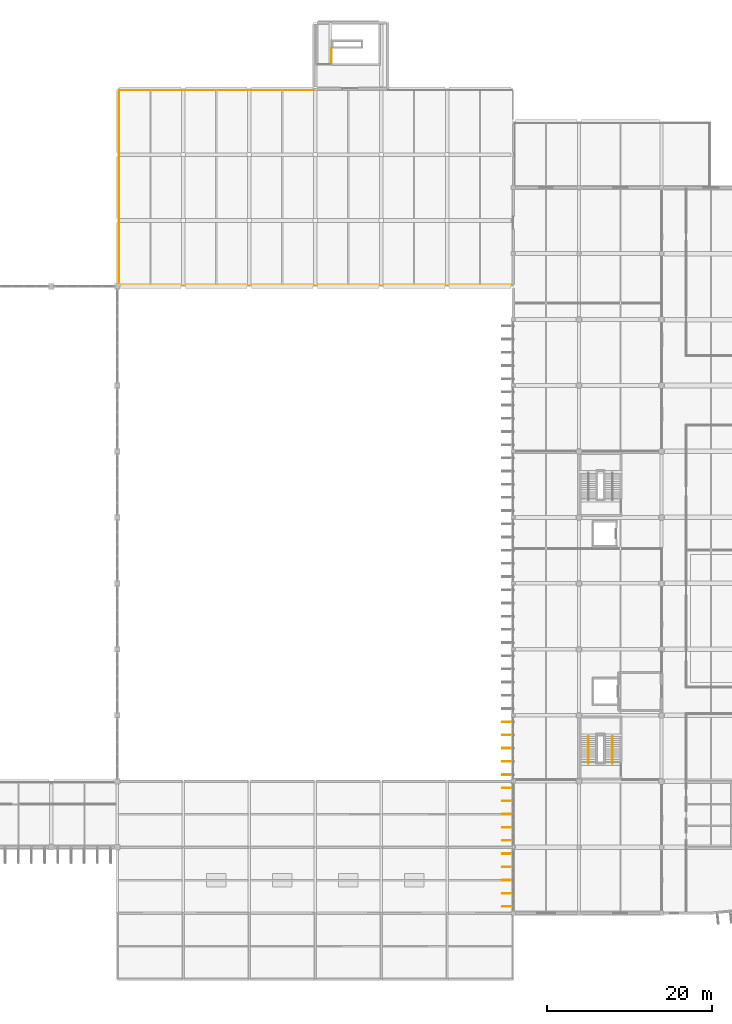
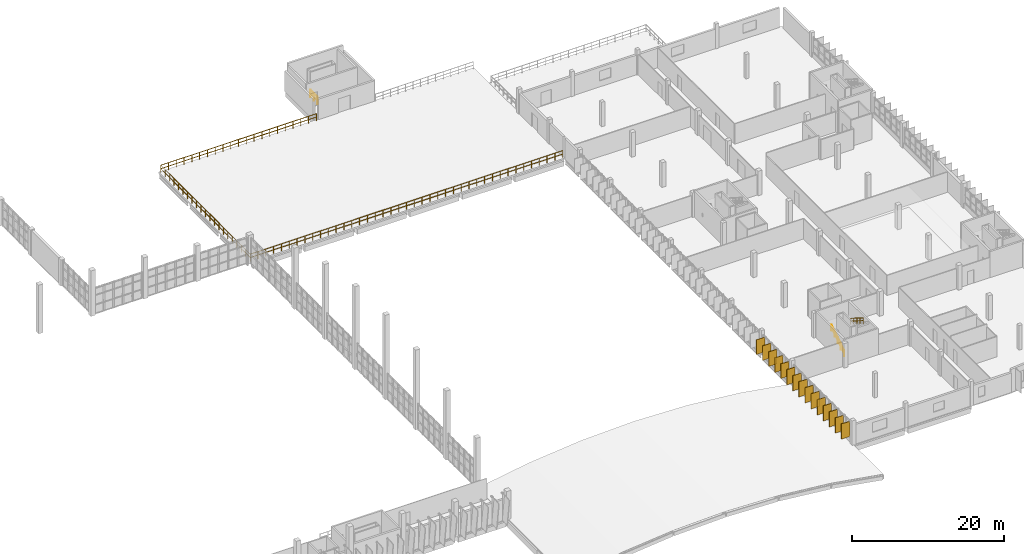
# One storey, part 64 of 66: 15 coverings, 15 shading devices, 6 railings.
"""IFC4 building model written with IfcOpenShell, lengths in metres."""

from ifc_helpers import new_model, si_unit, direction, frame, origin, origin_2d, place, context, subcontext, project, spatial, rectangle, circle, extrude, material, type_object, element, save


model = new_model("IFC4")

# Units and contexts
model_context = context("Model", 3, precision=1e-05, world=origin(), true_north=direction((0.0, 1.0)))
body_context = subcontext(model_context, "Body", "Model", "MODEL_VIEW")
ifc_project = project(units=[si_unit("LENGTHUNIT", "METRE"), si_unit("AREAUNIT", "SQUARE_METRE"), si_unit("VOLUMEUNIT", "CUBIC_METRE"), si_unit("PLANEANGLEUNIT", "RADIAN"), si_unit("MASSUNIT", "GRAM", prefix="KILO")], contexts=[model_context])

# Site, building, storey
site_placement = place(None, origin())
site = spatial("IfcSite", under=ifc_project, at=site_placement, CompositionType="ELEMENT")
building_placement = place(site_placement, origin())
building = spatial("IfcBuilding", under=site, at=building_placement, Name="Drelvana Railside Aquatics Centre", CompositionType="ELEMENT")
storey_placement = place(building_placement, frame((0.0, 0.0, 10.199951171875)))
storey = spatial("IfcBuildingStorey", under=building, at=storey_placement, Name="L02", CompositionType="ELEMENT", Elevation=10.199951171875)

# Coverings
ifc_material_1 = material(Name="Bronze-anodised extruded aluminium 6063-T6", Category="aluminium")
covering_type = type_object("IfcCoveringType", Name="COV-FIN-ALU", PredefinedType="CLADDING", material=ifc_material_1)
for number, where, z_axis, x_axis, name in (
    (1, (143.330078125, 8.800048828125, 0.80029296875), (0.0, 0.0, 1.0), (0.0, 1.0, 0.0), "Vertical aluminium fin cladding CF-0536"),
    (2, (143.330078125, 10.39990234375, 0.80029296875), (0.0, 0.0, 1.0), (0.0, 1.0, 0.0), "Vertical aluminium fin cladding CF-0537"),
    (3, (143.330078125, 12.0, 0.80029296875), (0.0, 0.0, 1.0), (0.0, 1.0, 0.0), "Vertical aluminium fin cladding CF-0538"),
    (4, (143.330078125, 13.60009765625, 0.80029296875), (0.0, 0.0, 1.0), (0.0, 1.0, 0.0), "Vertical aluminium fin cladding CF-0539"),
    (5, (143.330078125, 15.199951171875, 0.80029296875), (0.0, 0.0, 1.0), (0.0, 1.0, 0.0), "Vertical aluminium fin cladding CF-0540"),
    (6, (143.330078125, 16.800048828125, 0.80029296875), (0.0, 0.0, 1.0), (0.0, 1.0, 0.0), "Vertical aluminium fin cladding CF-0541"),
    (7, (143.330078125, 18.39990234375, 0.80029296875), (0.0, 0.0, 1.0), (0.0, 1.0, 0.0), "Vertical aluminium fin cladding CF-0542"),
    (8, (143.330078125, 20.0, 0.80029296875), (0.0, 0.0, 1.0), (0.0, 1.0, 0.0), "Vertical aluminium fin cladding CF-0543"),
    (9, (143.330078125, 21.60009765625, 0.80029296875), (0.0, 0.0, 1.0), (0.0, 1.0, 0.0), "Vertical aluminium fin cladding CF-0544"),
    (10, (143.330078125, 23.199951171875, 0.80029296875), (0.0, 0.0, 1.0), (0.0, 1.0, 0.0), "Vertical aluminium fin cladding CF-0545"),
):
    element("IfcCovering", number, at=place(storey_placement, frame(where, z_axis=z_axis, x_axis=x_axis)), inside=storey, type_object=covering_type, Name=name, PredefinedType="CLADDING", context=body_context, shape_type="SweptSolid", body=[
        extrude(rectangle(XDim=0.0849609375, YDim=1.25, at=origin_2d()), origin(), (0.0, 0.0, 1.0), 2.449951171875),
    ])
for number, where, z_axis, x_axis, name in (
    (11, (143.330078125, 24.800048828125, 0.85009765625), (0.0, 0.0, 1.0), (0.0, 1.0, 0.0), "Vertical aluminium fin cladding CF-0551"),
    (12, (143.330078125, 26.39990234375, 0.85009765625), (0.0, 0.0, 1.0), (0.0, 1.0, 0.0), "Vertical aluminium fin cladding CF-0552"),
    (13, (143.330078125, 28.0, 0.85009765625), (0.0, 0.0, 1.0), (0.0, 1.0, 0.0), "Vertical aluminium fin cladding CF-0553"),
    (14, (143.330078125, 29.60009765625, 0.85009765625), (0.0, 0.0, 1.0), (0.0, 1.0, 0.0), "Vertical aluminium fin cladding CF-0554"),
    (15, (143.330078125, 31.199951171875, 0.85009765625), (0.0, 0.0, 1.0), (0.0, 1.0, 0.0), "Vertical aluminium fin cladding CF-0555"),
):
    element("IfcCovering", number, at=place(storey_placement, frame(where, z_axis=z_axis, x_axis=x_axis)), inside=storey, type_object=covering_type, Name=name, PredefinedType="CLADDING", context=body_context, shape_type="SweptSolid", body=[
        extrude(rectangle(XDim=0.0849609375, YDim=1.25, at=origin_2d()), origin(), (0.0, 0.0, 1.0), 2.35009765625),
    ])

# Railings
ifc_material_2 = material(Name="Bronze-anodised stainless steel balustrade", Category="steel")
railing_type_1 = type_object("IfcRailingType", Name="RAL-GUARD-TER-1100", PredefinedType="GUARDRAIL", material=ifc_material_2)
railing_1_placement = place(storey_placement, frame((96.199951171875, 84.199951171875, 0.0)))
element("IfcRailing", 16, at=railing_1_placement, inside=storey, type_object=railing_type_1, Name="Roof-Garden Terrace guard rail 1", PredefinedType="GUARDRAIL", context=body_context, shape_type="SweptSolid", body=[
    extrude(circle(Radius=0.02392578125, at=origin_2d()), frame((0.0, 0.0, 1.1259765625), z_axis=(1.0, 0.0, 0.0), x_axis=(0.0, 1.0, 0.0)), (0.0, 0.0, 1.0), 47.60009765625),
    extrude(circle(Radius=0.02392578125, at=origin_2d()), frame((0.0, 0.0, 0.574951171875), z_axis=(1.0, 0.0, 0.0), x_axis=(0.0, 1.0, 0.0)), (0.0, 0.0, 1.0), 47.60009765625),
    extrude(circle(Radius=0.02099609375, at=origin_2d()), origin(), (0.0, 0.0, 1.0), 1.101806640625),
    extrude(circle(Radius=0.02099609375, at=origin_2d()), frame((1.18994140625, 0.0, 0.0)), (0.0, 0.0, 1.0), 1.101806640625),
    extrude(circle(Radius=0.02099609375, at=origin_2d()), frame((2.3798828125, 0.0, 0.0)), (0.0, 0.0, 1.0), 1.101806640625),
    extrude(circle(Radius=0.02099609375, at=origin_2d()), frame((3.570068359375, 0.0, 0.0)), (0.0, 0.0, 1.0), 1.101806640625),
    extrude(circle(Radius=0.02099609375, at=origin_2d()), frame((4.760009765625, 0.0, 0.0)), (0.0, 0.0, 1.0), 1.101806640625),
    extrude(circle(Radius=0.02099609375, at=origin_2d()), frame((5.949951171875, 0.0, 0.0)), (0.0, 0.0, 1.0), 1.101806640625),
    extrude(circle(Radius=0.02099609375, at=origin_2d()), frame((7.14013671875, 0.0, 0.0)), (0.0, 0.0, 1.0), 1.101806640625),
    extrude(circle(Radius=0.02099609375, at=origin_2d()), frame((8.330078125, 0.0, 0.0)), (0.0, 0.0, 1.0), 1.101806640625),
    extrude(circle(Radius=0.02099609375, at=origin_2d()), frame((9.52001953125, 0.0, 0.0)), (0.0, 0.0, 1.0), 1.101806640625),
    extrude(circle(Radius=0.02099609375, at=origin_2d()), frame((10.7099609375, 0.0, 0.0)), (0.0, 0.0, 1.0), 1.101806640625),
    extrude(circle(Radius=0.02099609375, at=origin_2d()), frame((11.89990234375, 0.0, 0.0)), (0.0, 0.0, 1.0), 1.101806640625),
    extrude(circle(Radius=0.02099609375, at=origin_2d()), frame((13.090087890625, 0.0, 0.0)), (0.0, 0.0, 1.0), 1.101806640625),
    extrude(circle(Radius=0.02099609375, at=origin_2d()), frame((14.280029296875, 0.0, 0.0)), (0.0, 0.0, 1.0), 1.101806640625),
    extrude(circle(Radius=0.02099609375, at=origin_2d()), frame((15.469970703125, 0.0, 0.0)), (0.0, 0.0, 1.0), 1.101806640625),
    extrude(circle(Radius=0.02099609375, at=origin_2d()), frame((16.66015625, 0.0, 0.0)), (0.0, 0.0, 1.0), 1.101806640625),
    extrude(circle(Radius=0.02099609375, at=origin_2d()), frame((17.85009765625, 0.0, 0.0)), (0.0, 0.0, 1.0), 1.101806640625),
    extrude(circle(Radius=0.02099609375, at=origin_2d()), frame((19.0400390625, 0.0, 0.0)), (0.0, 0.0, 1.0), 1.101806640625),
    extrude(circle(Radius=0.02099609375, at=origin_2d()), frame((20.22998046875, 0.0, 0.0)), (0.0, 0.0, 1.0), 1.101806640625),
    extrude(circle(Radius=0.02099609375, at=origin_2d()), frame((21.419921875, 0.0, 0.0)), (0.0, 0.0, 1.0), 1.101806640625),
    extrude(circle(Radius=0.02099609375, at=origin_2d()), frame((22.610107421875, 0.0, 0.0)), (0.0, 0.0, 1.0), 1.101806640625),
    extrude(circle(Radius=0.02099609375, at=origin_2d()), frame((23.800048828125, 0.0, 0.0)), (0.0, 0.0, 1.0), 1.101806640625),
    extrude(circle(Radius=0.02099609375, at=origin_2d()), frame((24.989990234375, 0.0, 0.0)), (0.0, 0.0, 1.0), 1.101806640625),
    extrude(circle(Radius=0.02099609375, at=origin_2d()), frame((26.18017578125, 0.0, 0.0)), (0.0, 0.0, 1.0), 1.101806640625),
    extrude(circle(Radius=0.02099609375, at=origin_2d()), frame((27.3701171875, 0.0, 0.0)), (0.0, 0.0, 1.0), 1.101806640625),
    extrude(circle(Radius=0.02099609375, at=origin_2d()), frame((28.56005859375, 0.0, 0.0)), (0.0, 0.0, 1.0), 1.101806640625),
    extrude(circle(Radius=0.02099609375, at=origin_2d()), frame((29.75, 0.0, 0.0)), (0.0, 0.0, 1.0), 1.101806640625),
    extrude(circle(Radius=0.02099609375, at=origin_2d()), frame((30.93994140625, 0.0, 0.0)), (0.0, 0.0, 1.0), 1.101806640625),
    extrude(circle(Radius=0.02099609375, at=origin_2d()), frame((32.130126953125, 0.0, 0.0)), (0.0, 0.0, 1.0), 1.101806640625),
    extrude(circle(Radius=0.02099609375, at=origin_2d()), frame((33.320068359375, 0.0, 0.0)), (0.0, 0.0, 1.0), 1.101806640625),
    extrude(circle(Radius=0.02099609375, at=origin_2d()), frame((34.510009765625, 0.0, 0.0)), (0.0, 0.0, 1.0), 1.101806640625),
    extrude(circle(Radius=0.02099609375, at=origin_2d()), frame((35.7001953125, 0.0, 0.0)), (0.0, 0.0, 1.0), 1.101806640625),
    extrude(circle(Radius=0.02099609375, at=origin_2d()), frame((36.89013671875, 0.0, 0.0)), (0.0, 0.0, 1.0), 1.101806640625),
    extrude(circle(Radius=0.02099609375, at=origin_2d()), frame((38.080078125, 0.0, 0.0)), (0.0, 0.0, 1.0), 1.101806640625),
    extrude(circle(Radius=0.02099609375, at=origin_2d()), frame((39.27001953125, 0.0, 0.0)), (0.0, 0.0, 1.0), 1.101806640625),
    extrude(circle(Radius=0.02099609375, at=origin_2d()), frame((40.4599609375, 0.0, 0.0)), (0.0, 0.0, 1.0), 1.101806640625),
    extrude(circle(Radius=0.02099609375, at=origin_2d()), frame((41.650146484375, 0.0, 0.0)), (0.0, 0.0, 1.0), 1.101806640625),
    extrude(circle(Radius=0.02099609375, at=origin_2d()), frame((42.840087890625, 0.0, 0.0)), (0.0, 0.0, 1.0), 1.101806640625),
    extrude(circle(Radius=0.02099609375, at=origin_2d()), frame((44.030029296875, 0.0, 0.0)), (0.0, 0.0, 1.0), 1.101806640625),
    extrude(circle(Radius=0.02099609375, at=origin_2d()), frame((45.22021484375, 0.0, 0.0)), (0.0, 0.0, 1.0), 1.101806640625),
    extrude(circle(Radius=0.02099609375, at=origin_2d()), frame((46.41015625, 0.0, 0.0)), (0.0, 0.0, 1.0), 1.101806640625),
    extrude(circle(Radius=0.02099609375, at=origin_2d()), frame((47.60009765625, 0.0, 0.0)), (0.0, 0.0, 1.0), 1.101806640625),
])
railing_2_placement = place(storey_placement, frame((96.199951171875, 84.199951171875, 0.0)))
element("IfcRailing", 17, at=railing_2_placement, inside=storey, type_object=railing_type_1, Name="Roof-Garden Terrace guard rail 2", PredefinedType="GUARDRAIL", context=body_context, shape_type="SweptSolid", body=[
    extrude(circle(Radius=0.02392578125, at=origin_2d()), frame((0.0, 0.0, 1.1259765625), z_axis=(0.0, 1.0, 0.0), x_axis=(-1.0, 0.0, 0.0)), (0.0, 0.0, 1.0), 23.60009765625),
    extrude(circle(Radius=0.02392578125, at=origin_2d()), frame((0.0, 0.0, 0.574951171875), z_axis=(0.0, 1.0, 0.0), x_axis=(-1.0, 0.0, 0.0)), (0.0, 0.0, 1.0), 23.60009765625),
    extrude(circle(Radius=0.02099609375, at=origin_2d()), origin(), (0.0, 0.0, 1.0), 1.101806640625),
    extrude(circle(Radius=0.02099609375, at=origin_2d()), frame((0.0, 1.179931640625, 0.0)), (0.0, 0.0, 1.0), 1.101806640625),
    extrude(circle(Radius=0.02099609375, at=origin_2d()), frame((0.0, 2.360107421875, 0.0)), (0.0, 0.0, 1.0), 1.101806640625),
    extrude(circle(Radius=0.02099609375, at=origin_2d()), frame((0.0, 3.5400390625, 0.0)), (0.0, 0.0, 1.0), 1.101806640625),
    extrude(circle(Radius=0.02099609375, at=origin_2d()), frame((0.0, 4.719970703125, 0.0)), (0.0, 0.0, 1.0), 1.101806640625),
    extrude(circle(Radius=0.02099609375, at=origin_2d()), frame((0.0, 5.89990234375, 0.0)), (0.0, 0.0, 1.0), 1.101806640625),
    extrude(circle(Radius=0.02099609375, at=origin_2d()), frame((0.0, 7.080078125, 0.0)), (0.0, 0.0, 1.0), 1.101806640625),
    extrude(circle(Radius=0.02099609375, at=origin_2d()), frame((0.0, 8.260009765625, 0.0)), (0.0, 0.0, 1.0), 1.101806640625),
    extrude(circle(Radius=0.02099609375, at=origin_2d()), frame((0.0, 9.43994140625, 0.0)), (0.0, 0.0, 1.0), 1.101806640625),
    extrude(circle(Radius=0.02099609375, at=origin_2d()), frame((0.0, 10.6201171875, 0.0)), (0.0, 0.0, 1.0), 1.101806640625),
    extrude(circle(Radius=0.02099609375, at=origin_2d()), frame((0.0, 11.800048828125, 0.0)), (0.0, 0.0, 1.0), 1.101806640625),
    extrude(circle(Radius=0.02099609375, at=origin_2d()), frame((0.0, 12.97998046875, 0.0)), (0.0, 0.0, 1.0), 1.101806640625),
    extrude(circle(Radius=0.02099609375, at=origin_2d()), frame((0.0, 14.16015625, 0.0)), (0.0, 0.0, 1.0), 1.101806640625),
    extrude(circle(Radius=0.02099609375, at=origin_2d()), frame((0.0, 15.340087890625, 0.0)), (0.0, 0.0, 1.0), 1.101806640625),
    extrude(circle(Radius=0.02099609375, at=origin_2d()), frame((0.0, 16.52001953125, 0.0)), (0.0, 0.0, 1.0), 1.101806640625),
    extrude(circle(Radius=0.02099609375, at=origin_2d()), frame((0.0, 17.7001953125, 0.0)), (0.0, 0.0, 1.0), 1.101806640625),
    extrude(circle(Radius=0.02099609375, at=origin_2d()), frame((0.0, 18.880126953125, 0.0)), (0.0, 0.0, 1.0), 1.101806640625),
    extrude(circle(Radius=0.02099609375, at=origin_2d()), frame((0.0, 20.06005859375, 0.0)), (0.0, 0.0, 1.0), 1.101806640625),
    extrude(circle(Radius=0.02099609375, at=origin_2d()), frame((0.0, 21.239990234375, 0.0)), (0.0, 0.0, 1.0), 1.101806640625),
    extrude(circle(Radius=0.02099609375, at=origin_2d()), frame((0.0, 22.420166015625, 0.0)), (0.0, 0.0, 1.0), 1.101806640625),
    extrude(circle(Radius=0.02099609375, at=origin_2d()), frame((0.0, 23.60009765625, 0.0)), (0.0, 0.0, 1.0), 1.101806640625),
])
railing_3_placement = place(storey_placement, frame((96.199951171875, 107.800048828125, 0.0)))
element("IfcRailing", 18, at=railing_3_placement, inside=storey, type_object=railing_type_1, Name="Roof-Garden Terrace guard rail 3", PredefinedType="GUARDRAIL", context=body_context, shape_type="SweptSolid", body=[
    extrude(circle(Radius=0.02392578125, at=origin_2d()), frame((0.0, 0.0, 1.1259765625), z_axis=(1.0, 0.0, 0.0), x_axis=(0.0, 1.0, 0.0)), (0.0, 0.0, 1.0), 23.699951171875),
    extrude(circle(Radius=0.02392578125, at=origin_2d()), frame((0.0, 0.0, 0.574951171875), z_axis=(1.0, 0.0, 0.0), x_axis=(0.0, 1.0, 0.0)), (0.0, 0.0, 1.0), 23.699951171875),
    extrude(circle(Radius=0.02099609375, at=origin_2d()), origin(), (0.0, 0.0, 1.0), 1.101806640625),
    extrude(circle(Radius=0.02099609375, at=origin_2d()), frame((1.18505859375, 0.0, 0.0)), (0.0, 0.0, 1.0), 1.101806640625),
    extrude(circle(Radius=0.02099609375, at=origin_2d()), frame((2.3701171875, 0.0, 0.0)), (0.0, 0.0, 1.0), 1.101806640625),
    extrude(circle(Radius=0.02099609375, at=origin_2d()), frame((3.554931640625, 0.0, 0.0)), (0.0, 0.0, 1.0), 1.101806640625),
    extrude(circle(Radius=0.02099609375, at=origin_2d()), frame((4.739990234375, 0.0, 0.0)), (0.0, 0.0, 1.0), 1.101806640625),
    extrude(circle(Radius=0.02099609375, at=origin_2d()), frame((5.925048828125, 0.0, 0.0)), (0.0, 0.0, 1.0), 1.101806640625),
    extrude(circle(Radius=0.02099609375, at=origin_2d()), frame((7.10986328125, 0.0, 0.0)), (0.0, 0.0, 1.0), 1.101806640625),
    extrude(circle(Radius=0.02099609375, at=origin_2d()), frame((8.294921875, 0.0, 0.0)), (0.0, 0.0, 1.0), 1.101806640625),
    extrude(circle(Radius=0.02099609375, at=origin_2d()), frame((9.47998046875, 0.0, 0.0)), (0.0, 0.0, 1.0), 1.101806640625),
    extrude(circle(Radius=0.02099609375, at=origin_2d()), frame((10.6650390625, 0.0, 0.0)), (0.0, 0.0, 1.0), 1.101806640625),
    extrude(circle(Radius=0.02099609375, at=origin_2d()), frame((11.85009765625, 0.0, 0.0)), (0.0, 0.0, 1.0), 1.101806640625),
    extrude(circle(Radius=0.02099609375, at=origin_2d()), frame((13.034912109375, 0.0, 0.0)), (0.0, 0.0, 1.0), 1.101806640625),
    extrude(circle(Radius=0.02099609375, at=origin_2d()), frame((14.219970703125, 0.0, 0.0)), (0.0, 0.0, 1.0), 1.101806640625),
    extrude(circle(Radius=0.02099609375, at=origin_2d()), frame((15.405029296875, 0.0, 0.0)), (0.0, 0.0, 1.0), 1.101806640625),
    extrude(circle(Radius=0.02099609375, at=origin_2d()), frame((16.58984375, 0.0, 0.0)), (0.0, 0.0, 1.0), 1.101806640625),
    extrude(circle(Radius=0.02099609375, at=origin_2d()), frame((17.77490234375, 0.0, 0.0)), (0.0, 0.0, 1.0), 1.101806640625),
    extrude(circle(Radius=0.02099609375, at=origin_2d()), frame((18.9599609375, 0.0, 0.0)), (0.0, 0.0, 1.0), 1.101806640625),
    extrude(circle(Radius=0.02099609375, at=origin_2d()), frame((20.14501953125, 0.0, 0.0)), (0.0, 0.0, 1.0), 1.101806640625),
    extrude(circle(Radius=0.02099609375, at=origin_2d()), frame((21.330078125, 0.0, 0.0)), (0.0, 0.0, 1.0), 1.101806640625),
    extrude(circle(Radius=0.02099609375, at=origin_2d()), frame((22.514892578125, 0.0, 0.0)), (0.0, 0.0, 1.0), 1.101806640625),
    extrude(circle(Radius=0.02099609375, at=origin_2d()), frame((23.699951171875, 0.0, 0.0)), (0.0, 0.0, 1.0), 1.101806640625),
])
ifc_material_3 = material(Name="Brushed stainless steel stair pitch handrail", Category="steel")
railing_type_2 = type_object("IfcRailingType", Name="RAL-HANDRAIL-950", PredefinedType="HANDRAIL", material=ifc_material_3)
railing_4_placement = place(storey_placement, frame((153.14990234375, 26.14990234375, 0.0)))
element("IfcRailing", 19, at=railing_4_placement, inside=storey, type_object=railing_type_2, Name="Stair ST-06 flight 1 handrail (L02)", PredefinedType="HANDRAIL", context=body_context, shape_type="SweptSolid", body=[
    extrude(circle(Radius=0.02392578125, at=origin_2d()), frame((0.0, 0.0, 0.92578125), z_axis=(0.0, 0.844763766854, 0.535139400727), x_axis=(-1.0, 0.0, 0.0)), (0.0, 0.0, 1.0), 3.92431640625),
    extrude(circle(Radius=0.02392578125, at=origin_2d()), frame((0.0, 0.0, 0.47509765625), z_axis=(0.0, 0.844763766854, 0.535139400727), x_axis=(-1.0, 0.0, 0.0)), (0.0, 0.0, 1.0), 3.92431640625),
    extrude(circle(Radius=0.02099609375, at=origin_2d()), origin(), (0.0, 0.0, 1.0), 0.90185546875),
    extrude(circle(Radius=0.02099609375, at=origin_2d()), frame((0.0, 0.828857421875, 0.52490234375)), (0.0, 0.0, 1.0), 0.90185546875),
    extrude(circle(Radius=0.02099609375, at=origin_2d()), frame((0.0, 1.65771484375, 1.050048828125)), (0.0, 0.0, 1.0), 0.90185546875),
    extrude(circle(Radius=0.02099609375, at=origin_2d()), frame((0.0, 2.486328125, 1.5751953125)), (0.0, 0.0, 1.0), 0.90185546875),
    extrude(circle(Radius=0.02099609375, at=origin_2d()), frame((0.0, 3.315185546875, 2.10009765625)), (0.0, 0.0, 1.0), 0.90185546875),
])
railing_5_placement = place(storey_placement, frame((156.050048828125, 29.465087890625, 2.10009765625)))
element("IfcRailing", 20, at=railing_5_placement, inside=storey, type_object=railing_type_2, Name="Stair ST-06 flight 2 handrail (L02)", PredefinedType="HANDRAIL", context=body_context, shape_type="SweptSolid", body=[
    extrude(circle(Radius=0.02392578125, at=origin_2d()), frame((0.0, 0.0, 0.92578125), z_axis=(0.0, -0.844791890145, 0.535095003103), x_axis=(1.0, 0.0, 0.0)), (0.0, 0.0, 1.0), 3.92431640625),
    extrude(circle(Radius=0.02392578125, at=origin_2d()), frame((0.0, 0.0, 0.47509765625), z_axis=(0.0, -0.844791890145, 0.535095003103), x_axis=(1.0, 0.0, 0.0)), (0.0, 0.0, 1.0), 3.92431640625),
    extrude(circle(Radius=0.02099609375, at=origin_2d()), origin(), (0.0, 0.0, 1.0), 0.90185546875),
    extrude(circle(Radius=0.02099609375, at=origin_2d()), frame((0.0, -0.828857421875, 0.52490234375)), (0.0, 0.0, 1.0), 0.90185546875),
    extrude(circle(Radius=0.02099609375, at=origin_2d()), frame((0.0, -1.65771484375, 1.0498046875)), (0.0, 0.0, 1.0), 0.90185546875),
    extrude(circle(Radius=0.02099609375, at=origin_2d()), frame((0.0, -2.486328125, 1.574951171875)), (0.0, 0.0, 1.0), 0.90185546875),
    extrude(circle(Radius=0.02099609375, at=origin_2d()), frame((0.0, -3.315185546875, 2.099853515625)), (0.0, 0.0, 1.0), 0.90185546875),
])
ifc_material_4 = material(Name="Brushed stainless steel stairwell guard", Category="steel")
railing_type_3 = type_object("IfcRailingType", Name="RAL-STAIR-1150", PredefinedType="GUARDRAIL", material=ifc_material_4)
railing_6_placement = place(storey_placement, frame((121.969970703125, 111.050048828125, 0.0)))
element("IfcRailing", 21, at=railing_6_placement, inside=storey, type_object=railing_type_3, Name="Stair ST-05 top landing guard", PredefinedType="GUARDRAIL", context=body_context, shape_type="SweptSolid", body=[
    extrude(circle(Radius=0.02392578125, at=origin_2d()), frame((0.0, 0.0, 1.1259765625), z_axis=(0.0, 1.0, 0.0), x_axis=(-1.0, 0.0, 0.0)), (0.0, 0.0, 1.0), 1.849853515625),
    extrude(circle(Radius=0.02392578125, at=origin_2d()), frame((0.0, 0.0, 0.574951171875), z_axis=(0.0, 1.0, 0.0), x_axis=(-1.0, 0.0, 0.0)), (0.0, 0.0, 1.0), 1.849853515625),
    extrude(circle(Radius=0.02099609375, at=origin_2d()), origin(), (0.0, 0.0, 1.0), 1.101806640625),
    extrude(circle(Radius=0.02099609375, at=origin_2d()), frame((0.0, 0.9248046875, 0.0)), (0.0, 0.0, 1.0), 1.101806640625),
    extrude(circle(Radius=0.02099609375, at=origin_2d()), frame((0.0, 1.849853515625, 0.0)), (0.0, 0.0, 1.0), 1.101806640625),
])

# Shading devices
shading_device_type = type_object("IfcShadingDeviceType", Name="SHD-FIN-1250", PredefinedType="USERDEFINED", material=ifc_material_1)
for number, where, z_axis, x_axis, name in (
    (22, (143.31005859375, 8.800048828125, 0.80029296875), (0.0, 0.0, 1.0), (-1.0, 0.0, 0.0), "Vertical bronze shading fin FN-0543"),
    (23, (143.31005859375, 10.39990234375, 0.80029296875), (0.0, 0.0, 1.0), (-1.0, 0.0, 0.0), "Vertical bronze shading fin FN-0544"),
    (24, (143.31005859375, 12.0, 0.80029296875), (0.0, 0.0, 1.0), (-1.0, 0.0, 0.0), "Vertical bronze shading fin FN-0545"),
    (25, (143.31005859375, 13.60009765625, 0.80029296875), (0.0, 0.0, 1.0), (-1.0, 0.0, 0.0), "Vertical bronze shading fin FN-0546"),
    (26, (143.31005859375, 15.199951171875, 0.80029296875), (0.0, 0.0, 1.0), (-1.0, 0.0, 0.0), "Vertical bronze shading fin FN-0547"),
    (27, (143.31005859375, 16.800048828125, 0.80029296875), (0.0, 0.0, 1.0), (-1.0, 0.0, 0.0), "Vertical bronze shading fin FN-0548"),
    (28, (143.31005859375, 18.39990234375, 0.80029296875), (0.0, 0.0, 1.0), (-1.0, 0.0, 0.0), "Vertical bronze shading fin FN-0549"),
    (29, (143.31005859375, 20.0, 0.80029296875), (0.0, 0.0, 1.0), (-1.0, 0.0, 0.0), "Vertical bronze shading fin FN-0550"),
    (30, (143.31005859375, 21.60009765625, 0.80029296875), (0.0, 0.0, 1.0), (-1.0, 0.0, 0.0), "Vertical bronze shading fin FN-0551"),
    (31, (143.31005859375, 23.199951171875, 0.80029296875), (0.0, 0.0, 1.0), (-1.0, 0.0, 0.0), "Vertical bronze shading fin FN-0552"),
):
    element("IfcShadingDevice", number, at=place(storey_placement, frame(where, z_axis=z_axis, x_axis=x_axis)), inside=storey, type_object=shading_device_type, Name=name, ObjectType="FIN", PredefinedType="USERDEFINED", context=body_context, shape_type="SweptSolid", body=[
        extrude(rectangle(XDim=1.25, YDim=0.06494140625, at=origin_2d()), origin(), (0.0, 0.0, 1.0), 2.449951171875),
    ])
for number, where, z_axis, x_axis, name in (
    (32, (143.31005859375, 24.800048828125, 0.85009765625), (0.0, 0.0, 1.0), (-1.0, 0.0, 0.0), "Vertical bronze shading fin FN-0558"),
    (33, (143.31005859375, 26.39990234375, 0.85009765625), (0.0, 0.0, 1.0), (-1.0, 0.0, 0.0), "Vertical bronze shading fin FN-0559"),
    (34, (143.31005859375, 28.0, 0.85009765625), (0.0, 0.0, 1.0), (-1.0, 0.0, 0.0), "Vertical bronze shading fin FN-0560"),
    (35, (143.31005859375, 29.60009765625, 0.85009765625), (0.0, 0.0, 1.0), (-1.0, 0.0, 0.0), "Vertical bronze shading fin FN-0561"),
    (36, (143.31005859375, 31.199951171875, 0.85009765625), (0.0, 0.0, 1.0), (-1.0, 0.0, 0.0), "Vertical bronze shading fin FN-0562"),
):
    element("IfcShadingDevice", number, at=place(storey_placement, frame(where, z_axis=z_axis, x_axis=x_axis)), inside=storey, type_object=shading_device_type, Name=name, ObjectType="FIN", PredefinedType="USERDEFINED", context=body_context, shape_type="SweptSolid", body=[
        extrude(rectangle(XDim=1.25, YDim=0.06494140625, at=origin_2d()), origin(), (0.0, 0.0, 1.0), 2.35009765625),
    ])

save(model, "model.ifc")
